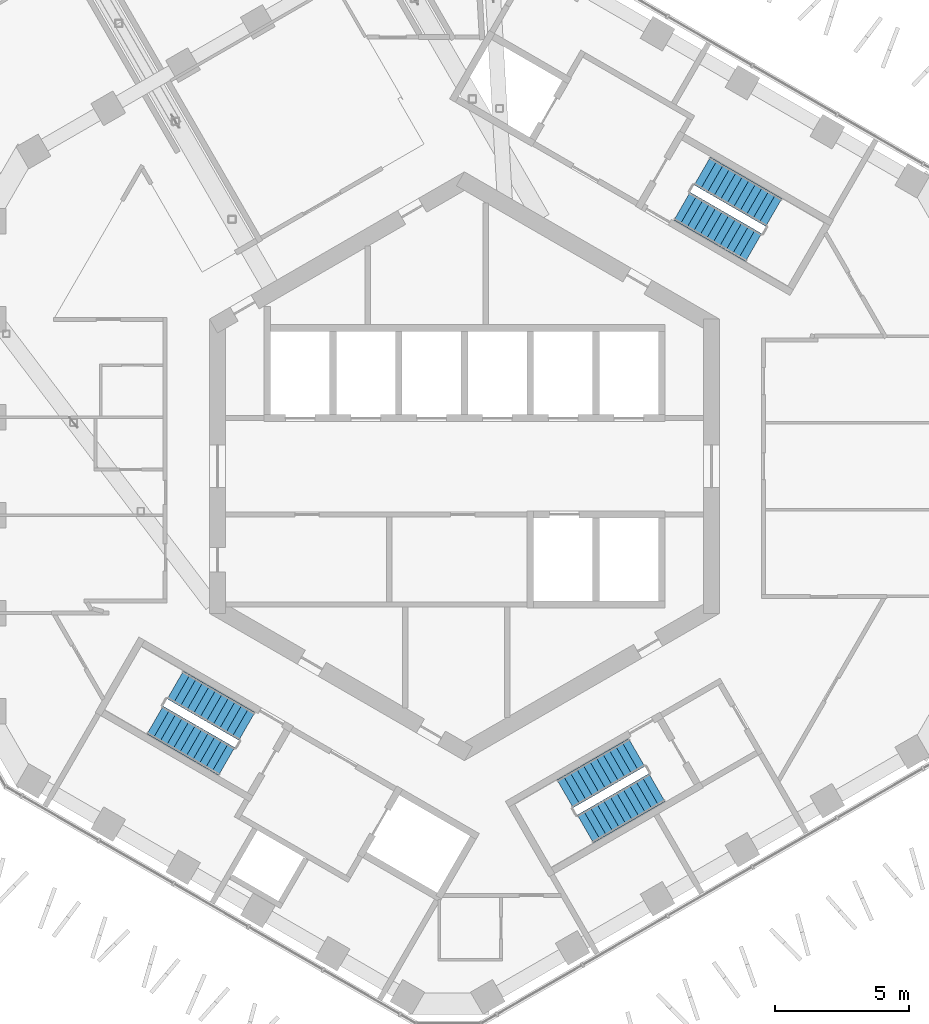
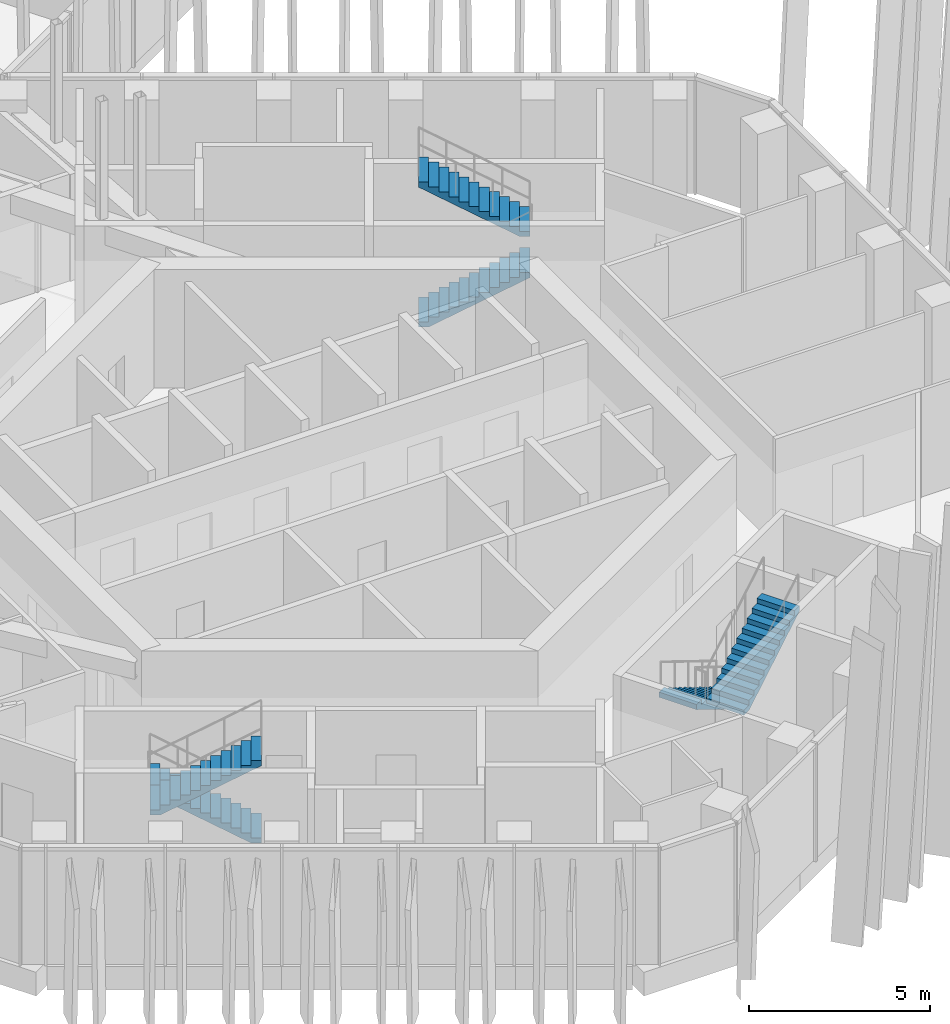
# One storey, part 25 of 29: 6 stair flights, 3 elements without a shape of their own.
"""IFC4 building model written with IfcOpenShell, lengths in metres."""

import ifcopenshell
import ifcopenshell.guid

model = None  # the IFC model being written
_history = None  # IfcOwnerHistory: only IFC2X3 demands one
_inside = {}  # id of a spatial element -> (the spatial element, [elements in it])
_under = {}  # id of a project, library or spatial element -> (it, [spatial elements below it])
_declared = {}  # id of a project -> (the project, [libraries it declares])
_typed = {}  # id of a type object -> (the type object, [elements of that type])
_made_of = {}  # id of a material, layer set ... -> (it, [elements and type objects made of it])


def new_model(schema):
    """Start an empty IFC model of exactly this schema.

    Asked for "IFC4X3", IfcOpenShell would pick the latest addendum, in which some entities
    have other attributes; the version numbers below select the first issue.
    IFC2X3 requires an IfcOwnerHistory on every rooted entity: one is made here for all.
    """
    global model, _history
    if schema == "IFC4X3":
        model = ifcopenshell.file(schema_version=(4, 3, 0, 0))
    else:
        model = ifcopenshell.file(schema=schema)
    _inside.clear()
    _under.clear()
    _declared.clear()
    _typed.clear()
    _made_of.clear()
    _history = None
    if model.schema == "IFC2X3":
        org = make("IfcOrganization", Name="unknown")
        user = make(
            "IfcPersonAndOrganization",
            ThePerson=make("IfcPerson", FamilyName="unknown"),
            TheOrganization=org,
        )
        app = make(
            "IfcApplication",
            ApplicationDeveloper=org,
            Version="unknown",
            ApplicationFullName="unknown",
            ApplicationIdentifier="unknown",
        )
        _history = make(
            "IfcOwnerHistory",
            OwningUser=user,
            OwningApplication=app,
            ChangeAction="ADDED",
            CreationDate=0,
        )
    return model


def make(cls, **values):
    """One entity of the class cls with the attributes given. An attribute that is None is left unset."""
    return model.create_entity(
        cls, **{name: value for name, value in values.items() if value is not None}
    )


def rooted(cls, **values):
    """An entity with a GlobalId (a new one), such as an element, a storey or a relation."""
    return make(cls, GlobalId=ifcopenshell.guid.new(), OwnerHistory=_history, **values)


def si_unit(unit_type, name, prefix=None):
    """IfcSIUnit, for example si_unit("LENGTHUNIT", "METRE", prefix="MILLI")."""
    return make("IfcSIUnit", UnitType=unit_type, Prefix=prefix, Name=name)


def assignment(units):
    """IfcUnitAssignment: the units of a project."""
    return None if units is None else make("IfcUnitAssignment", Units=units)


def point(xyz):
    """IfcCartesianPoint."""
    return None if xyz is None else make("IfcCartesianPoint", Coordinates=xyz)


def direction(xyz):
    """IfcDirection."""
    return None if xyz is None else make("IfcDirection", DirectionRatios=xyz)


def frame(location, z_axis=None, x_axis=None):
    """IfcAxis2Placement3D, a coordinate frame: its origin and axes. An axis left out is left unset."""
    return make(
        "IfcAxis2Placement3D",
        Location=point(location),
        Axis=direction(z_axis),
        RefDirection=direction(x_axis),
    )


def origin():
    """The frame at (0, 0, 0) with its axes left unset."""
    return frame((0.0, 0.0, 0.0))


def place(relative_to, where):
    """IfcLocalPlacement: puts the frame where relative to a parent placement (None: the world)."""
    return make(
        "IfcLocalPlacement", PlacementRelTo=relative_to, RelativePlacement=where
    )


def context(
    kind, dimensions, precision=None, world=None, true_north=None, identifier=None
):
    """IfcGeometricRepresentationContext, for example the 3D "Model" context."""
    return make(
        "IfcGeometricRepresentationContext",
        ContextIdentifier=identifier,
        ContextType=kind,
        CoordinateSpaceDimension=dimensions,
        Precision=precision,
        WorldCoordinateSystem=world,
        TrueNorth=true_north,
    )


def subcontext(parent, identifier, kind, view, scale=None):
    """IfcGeometricRepresentationSubContext, for example "Body" below "Model"."""
    return make(
        "IfcGeometricRepresentationSubContext",
        ContextIdentifier=identifier,
        ContextType=kind,
        ParentContext=parent,
        TargetScale=scale,
        TargetView=view,
    )


def project(units=None, contexts=None):
    """IfcProject with its units and contexts."""
    return rooted(
        "IfcProject",
        Name="project",
        RepresentationContexts=contexts,
        UnitsInContext=assignment(units),
    )


def spatial(cls, under=None, at=None, **own):
    """A site, building, storey or space (cls), placed at a placement, below another one or the project."""
    s = rooted(cls, ObjectPlacement=at, **own)
    if under is not None:
        _under.setdefault(under.id(), (under, []))[1].append(s)
    return s


def point_list(points):
    """IfcCartesianPointList2D or 3D."""
    cls = (
        "IfcCartesianPointList2D" if len(points[0]) == 2 else "IfcCartesianPointList3D"
    )
    return make(cls, CoordList=points)


def triangles(points, corners, closed=None, point_numbers=None):
    """IfcTriangulatedFaceSet: each triangle names its three corners, points numbered from 1."""
    return make(
        "IfcTriangulatedFaceSet",
        Coordinates=point_list(points),
        Closed=closed,
        CoordIndex=corners,
        PnIndex=point_numbers,
    )


def shape(context_of_items, identifier, shape_type, items):
    """IfcShapeRepresentation: the items that make up one representation, for example the "Body"."""
    return make(
        "IfcShapeRepresentation",
        ContextOfItems=context_of_items,
        RepresentationIdentifier=identifier,
        RepresentationType=shape_type,
        Items=items,
    )


def material(Name=None, Category=None):
    """IfcMaterial."""
    return make("IfcMaterial", Name=Name, Category=Category)


def made_of(thing, what):
    """Note that an element or type object is made of a material, layer set ...; save() writes the relation."""
    if what is not None:
        _made_of.setdefault(what.id(), (what, []))[1].append(thing)
    return thing


def type_object(cls, material=None, **own):
    """A type object (cls), such as IfcWallType, which elements share."""
    return made_of(rooted(cls, **own), material)


def element(
    cls,
    number,
    at=None,
    inside=None,
    cuts=None,
    type_object=None,
    material=None,
    context=None,
    identifier="Body",
    shape_type=None,
    held_by="IfcProductDefinitionShape",
    body=None,
    shapes=None,
    **own,
):
    """One element of the class cls, such as IfcWall. Its Tag is "e" and its number.

    at: its placement. inside: the storey or other place that contains it. cuts: it is an
    opening in that element (IfcRelVoidsElement). A single representation is given by context,
    identifier, shape_type and body (its items); several are given by shapes. held_by: the class
    of the entity that holds the representations. save() writes the other relations.
    """
    e = rooted(cls, Tag="e%d" % number, ObjectPlacement=at, **own)
    if body is not None:
        shapes = [shape(context, identifier, shape_type, body)]
    if shapes is not None:
        e.Representation = make(held_by, Representations=shapes)
    if inside is not None:
        _inside.setdefault(inside.id(), (inside, []))[1].append(e)
    if cuts is not None:
        rooted(
            "IfcRelVoidsElement", RelatingBuildingElement=cuts, RelatedOpeningElement=e
        )
    if type_object is not None:
        _typed.setdefault(type_object.id(), (type_object, []))[1].append(e)
    return made_of(e, material)


def aggregate(whole, parts):
    """IfcRelAggregates: a whole, such as a stair, and the parts it consists of."""
    return rooted("IfcRelAggregates", RelatingObject=whole, RelatedObjects=parts)


def save(model, path):
    """Write the relations noted so far, then the file.

    IfcRelAggregates (storeys below a building ...), IfcRelContainedInSpatialStructure (elements
    in a storey), IfcRelDefinesByType, IfcRelAssociatesMaterial and IfcRelDeclares: one each for
    every whole, place, type object, material and project.
    """
    for whole, parts in _under.values():
        aggregate(whole, parts)
    for where, things in _inside.values():
        rooted(
            "IfcRelContainedInSpatialStructure",
            RelatedElements=things,
            RelatingStructure=where,
        )
    for kind, things in _typed.values():
        rooted("IfcRelDefinesByType", RelatedObjects=things, RelatingType=kind)
    for what, things in _made_of.values():
        rooted("IfcRelAssociatesMaterial", RelatedObjects=things, RelatingMaterial=what)
    for by, libraries in _declared.values():
        rooted("IfcRelDeclares", RelatingContext=by, RelatedDefinitions=libraries)
    model.write(path)


model = new_model("IFC4")

# Units and contexts
model_context = context("Model", 3, precision=1e-05, world=origin(), true_north=direction((0.0, 1.0)))
body_context = subcontext(model_context, "Body", "Model", "MODEL_VIEW")
ifc_project = project(units=[si_unit("LENGTHUNIT", "METRE"), si_unit("AREAUNIT", "SQUARE_METRE"), si_unit("VOLUMEUNIT", "CUBIC_METRE"), si_unit("PLANEANGLEUNIT", "RADIAN"), si_unit("MASSUNIT", "GRAM", prefix="KILO")], contexts=[model_context])

# Site, building, storey
site_placement = place(None, origin())
site = spatial("IfcSite", under=ifc_project, at=site_placement, CompositionType="ELEMENT")
building_placement = place(site_placement, origin())
building = spatial("IfcBuilding", under=site, at=building_placement, Name="Ayvan Gate Tower", CompositionType="ELEMENT")
storey_placement = place(building_placement, frame((0.0, 0.0, 186.699951171875)))
storey = spatial("IfcBuildingStorey", under=building, at=storey_placement, Name="L50", CompositionType="ELEMENT", Elevation=186.699951171875)

# Stair, stair flights
ifc_material = material(Name="Concrete C40/50", Category="concrete")
stair_type = type_object("IfcStairType", Name="ST-EXIT", PredefinedType="HALF_TURN_STAIR", material=ifc_material)
stair_1_placement = place(storey_placement, origin())
stair_1 = element("IfcStair", 1, at=stair_1_placement, inside=storey, type_object=stair_type, Name="L50 Exit Stair S1", PredefinedType="HALF_TURN_STAIR")
stair_flight_type = type_object("IfcStairFlightType", Name="SFL-EXIT", PredefinedType="STRAIGHT", material=ifc_material)
stair_flight_1_placement = place(storey_placement, frame((8.106201171875, 9.690185546875, 0.0), z_axis=(0.0, 0.0, 1.0), x_axis=(0.866025403784, -0.5, 0.0)))
stair_flight_1 = element("IfcStairFlight", 2, at=stair_flight_1_placement, type_object=stair_flight_type, Name="STS1 flight 1", NumberOfRisers=12, NumberOfTreads=11, PredefinedType="STRAIGHT", RiserHeight=0.166666667, TreadLength=0.28, context=body_context, shape_type="Tessellation", body=[
    triangles([(0.293073, -0.599976, 0.0), (3.0805, -0.599976, 1.659182), (3.0805, -0.599976, 1.833333), (2.8, -0.599976, 1.833333), (2.8, -0.599976, 1.666667), (2.52, -0.599976, 1.666667), (2.52, -0.599976, 1.5), (2.24, -0.599976, 1.5), (2.24, -0.599976, 1.333333), (1.96, -0.599976, 1.333333), (1.96, -0.599976, 1.166667), (1.68, -0.599976, 1.166667), (1.68, -0.599976, 1.0), (1.4, -0.599976, 1.0), (1.4, -0.599976, 0.833333), (1.12, -0.599976, 0.833333), (1.12, -0.599976, 0.666667), (0.84, -0.599976, 0.666667), (0.84, -0.599976, 0.5), (0.56, -0.599976, 0.5), (0.56, -0.599976, 0.333333), (0.28, -0.599976, 0.333333), (0.28, -0.599976, 0.166667), (-0.0005, -0.599976, 0.166667), (-0.0005, -0.599976, 0.0), (0.293073, 0.0, 0.0), (3.0805, 0.0, 1.659182), (3.0805, 0.0, 1.833333), (2.8, 0.0, 1.833333), (2.8, 0.0, 1.666667), (2.52, 0.0, 1.666667), (2.52, 0.0, 1.5), (2.24, 0.0, 1.5), (2.24, 0.0, 1.333333), (1.96, 0.0, 1.333333), (1.96, 0.0, 1.166667), (1.68, 0.0, 1.166667), (1.68, 0.0, 1.0), (1.4, 0.0, 1.0), (1.4, 0.0, 0.833333), (1.12, 0.0, 0.833333), (1.12, 0.0, 0.666667), (0.84, 0.0, 0.666667), (0.84, 0.0, 0.5), (0.56, 0.0, 0.5), (0.56, 0.0, 0.333333), (0.28, 0.0, 0.333333), (0.28, 0.0, 0.166667), (-0.0005, 0.0, 0.166667), (-0.0005, 0.0, 0.0), (0.293073, 0.599976, 0.0), (3.0805, 0.599976, 1.659182), (3.0805, 0.599976, 1.833333), (2.8, 0.599976, 1.833333), (2.8, 0.599976, 1.666667), (2.52, 0.599976, 1.666667), (2.52, 0.599976, 1.5), (2.24, 0.599976, 1.5), (2.24, 0.599976, 1.333333), (1.96, 0.599976, 1.333333), (1.96, 0.599976, 1.166667), (1.68, 0.599976, 1.166667), (1.68, 0.599976, 1.0), (1.4, 0.599976, 1.0), (1.4, 0.599976, 0.833333), (1.12, 0.599976, 0.833333), (1.12, 0.599976, 0.666667), (0.84, 0.599976, 0.666667), (0.84, 0.599976, 0.5), (0.56, 0.599976, 0.5), (0.56, 0.599976, 0.333333), (0.28, 0.599976, 0.333333), (0.28, 0.599976, 0.166667), (-0.0005, 0.599976, 0.166667), (-0.0005, 0.599976, 0.0)], [[25, 1, 2], [75, 52, 51], [2, 3, 4], [52, 54, 53], [2, 4, 5], [52, 55, 54], [2, 5, 6], [52, 56, 55], [2, 6, 7], [52, 57, 56], [7, 8, 9], [57, 59, 58], [2, 7, 9], [52, 59, 57], [9, 10, 11], [59, 61, 60], [2, 9, 11], [52, 61, 59], [11, 12, 13], [61, 63, 62], [2, 11, 13], [52, 63, 61], [13, 14, 15], [63, 65, 64], [2, 13, 15], [52, 65, 63], [15, 16, 17], [65, 67, 66], [2, 15, 17], [52, 67, 65], [17, 18, 19], [67, 69, 68], [2, 17, 19], [52, 69, 67], [19, 20, 21], [69, 71, 70], [2, 19, 21], [52, 71, 69], [21, 22, 23], [71, 73, 72], [2, 21, 23], [52, 73, 71], [25, 2, 23], [75, 73, 52], [23, 24, 25], [73, 75, 74], [1, 26, 27], [1, 27, 2], [51, 27, 26], [51, 52, 27], [2, 27, 28], [2, 28, 3], [52, 28, 27], [52, 53, 28], [3, 28, 29], [3, 29, 4], [53, 29, 28], [53, 54, 29], [4, 29, 30], [4, 30, 5], [54, 30, 29], [54, 55, 30], [5, 30, 31], [5, 31, 6], [55, 31, 30], [55, 56, 31], [6, 31, 32], [6, 32, 7], [56, 32, 31], [56, 57, 32], [7, 32, 33], [7, 33, 8], [57, 33, 32], [57, 58, 33], [8, 33, 34], [8, 34, 9], [58, 34, 33], [58, 59, 34], [9, 34, 35], [9, 35, 10], [59, 35, 34], [59, 60, 35], [10, 35, 36], [10, 36, 11], [60, 36, 35], [60, 61, 36], [11, 36, 37], [11, 37, 12], [61, 37, 36], [61, 62, 37], [12, 37, 38], [12, 38, 13], [62, 38, 37], [62, 63, 38], [13, 38, 39], [13, 39, 14], [63, 39, 38], [63, 64, 39], [14, 39, 40], [14, 40, 15], [64, 40, 39], [64, 65, 40], [15, 40, 41], [15, 41, 16], [65, 41, 40], [65, 66, 41], [16, 41, 42], [16, 42, 17], [66, 42, 41], [66, 67, 42], [17, 42, 43], [17, 43, 18], [67, 43, 42], [67, 68, 43], [18, 43, 44], [18, 44, 19], [68, 44, 43], [68, 69, 44], [19, 44, 45], [19, 45, 20], [69, 45, 44], [69, 70, 45], [20, 45, 46], [20, 46, 21], [70, 46, 45], [70, 71, 46], [21, 46, 47], [21, 47, 22], [71, 47, 46], [71, 72, 47], [22, 47, 48], [22, 48, 23], [72, 48, 47], [72, 73, 48], [23, 48, 49], [23, 49, 24], [73, 49, 48], [73, 74, 49], [24, 49, 50], [24, 50, 25], [74, 50, 49], [74, 75, 50], [25, 50, 26], [25, 26, 1], [75, 26, 50], [75, 51, 26]], closed=True),
])
stair_flight_2_placement = place(storey_placement, frame((11.528564453125, 9.457763671875, 2.0), z_axis=(0.0, 0.0, 1.0), x_axis=(-0.866025403784, 0.5, 0.0)))
stair_flight_2 = element("IfcStairFlight", 3, at=stair_flight_2_placement, type_object=stair_flight_type, Name="STS1 flight 2", NumberOfRisers=12, NumberOfTreads=11, PredefinedType="STRAIGHT", RiserHeight=0.166666667, TreadLength=0.28, context=body_context, shape_type="Tessellation", body=[
    triangles([(0.293073, -0.599976, 0.0), (3.0805, -0.599976, 1.659182), (3.0805, -0.599976, 1.833333), (2.8, -0.599976, 1.833333), (2.8, -0.599976, 1.666667), (2.52, -0.599976, 1.666667), (2.52, -0.599976, 1.5), (2.24, -0.599976, 1.5), (2.24, -0.599976, 1.333333), (1.96, -0.599976, 1.333333), (1.96, -0.599976, 1.166667), (1.68, -0.599976, 1.166667), (1.68, -0.599976, 1.0), (1.4, -0.599976, 1.0), (1.4, -0.599976, 0.833333), (1.12, -0.599976, 0.833333), (1.12, -0.599976, 0.666667), (0.84, -0.599976, 0.666667), (0.84, -0.599976, 0.5), (0.56, -0.599976, 0.5), (0.56, -0.599976, 0.333333), (0.28, -0.599976, 0.333333), (0.28, -0.599976, 0.166667), (-0.0005, -0.599976, 0.166667), (-0.0005, -0.599976, 0.0), (0.293073, 0.0, 0.0), (3.0805, 0.0, 1.659182), (3.0805, 0.0, 1.833333), (2.8, 0.0, 1.833333), (2.8, 0.0, 1.666667), (2.52, 0.0, 1.666667), (2.52, 0.0, 1.5), (2.24, 0.0, 1.5), (2.24, 0.0, 1.333333), (1.96, 0.0, 1.333333), (1.96, 0.0, 1.166667), (1.68, 0.0, 1.166667), (1.68, 0.0, 1.0), (1.4, 0.0, 1.0), (1.4, 0.0, 0.833333), (1.12, 0.0, 0.833333), (1.12, 0.0, 0.666667), (0.84, 0.0, 0.666667), (0.84, 0.0, 0.5), (0.56, 0.0, 0.5), (0.56, 0.0, 0.333333), (0.28, 0.0, 0.333333), (0.28, 0.0, 0.166667), (-0.0005, 0.0, 0.166667), (-0.0005, 0.0, 0.0), (0.293073, 0.599976, 0.0), (3.0805, 0.599976, 1.659182), (3.0805, 0.599976, 1.833333), (2.8, 0.599976, 1.833333), (2.8, 0.599976, 1.666667), (2.52, 0.599976, 1.666667), (2.52, 0.599976, 1.5), (2.24, 0.599976, 1.5), (2.24, 0.599976, 1.333333), (1.96, 0.599976, 1.333333), (1.96, 0.599976, 1.166667), (1.68, 0.599976, 1.166667), (1.68, 0.599976, 1.0), (1.4, 0.599976, 1.0), (1.4, 0.599976, 0.833333), (1.12, 0.599976, 0.833333), (1.12, 0.599976, 0.666667), (0.84, 0.599976, 0.666667), (0.84, 0.599976, 0.5), (0.56, 0.599976, 0.5), (0.56, 0.599976, 0.333333), (0.28, 0.599976, 0.333333), (0.28, 0.599976, 0.166667), (-0.0005, 0.599976, 0.166667), (-0.0005, 0.599976, 0.0)], [[25, 1, 2], [75, 52, 51], [2, 3, 4], [52, 54, 53], [2, 4, 5], [52, 55, 54], [2, 5, 6], [52, 56, 55], [2, 6, 7], [52, 57, 56], [7, 8, 9], [57, 59, 58], [2, 7, 9], [52, 59, 57], [9, 10, 11], [59, 61, 60], [2, 9, 11], [52, 61, 59], [11, 12, 13], [61, 63, 62], [2, 11, 13], [52, 63, 61], [13, 14, 15], [63, 65, 64], [2, 13, 15], [52, 65, 63], [15, 16, 17], [65, 67, 66], [2, 15, 17], [52, 67, 65], [17, 18, 19], [67, 69, 68], [2, 17, 19], [52, 69, 67], [19, 20, 21], [69, 71, 70], [2, 19, 21], [52, 71, 69], [21, 22, 23], [71, 73, 72], [2, 21, 23], [52, 73, 71], [25, 2, 23], [75, 73, 52], [23, 24, 25], [73, 75, 74], [1, 26, 27], [1, 27, 2], [51, 27, 26], [51, 52, 27], [2, 27, 28], [2, 28, 3], [52, 28, 27], [52, 53, 28], [3, 28, 29], [3, 29, 4], [53, 29, 28], [53, 54, 29], [4, 29, 30], [4, 30, 5], [54, 30, 29], [54, 55, 30], [5, 30, 31], [5, 31, 6], [55, 31, 30], [55, 56, 31], [6, 31, 32], [6, 32, 7], [56, 32, 31], [56, 57, 32], [7, 32, 33], [7, 33, 8], [57, 33, 32], [57, 58, 33], [8, 33, 34], [8, 34, 9], [58, 34, 33], [58, 59, 34], [9, 34, 35], [9, 35, 10], [59, 35, 34], [59, 60, 35], [10, 35, 36], [10, 36, 11], [60, 36, 35], [60, 61, 36], [11, 36, 37], [11, 37, 12], [61, 37, 36], [61, 62, 37], [12, 37, 38], [12, 38, 13], [62, 38, 37], [62, 63, 38], [13, 38, 39], [13, 39, 14], [63, 39, 38], [63, 64, 39], [14, 39, 40], [14, 40, 15], [64, 40, 39], [64, 65, 40], [15, 40, 41], [15, 41, 16], [65, 41, 40], [65, 66, 41], [16, 41, 42], [16, 42, 17], [66, 42, 41], [66, 67, 42], [17, 42, 43], [17, 43, 18], [67, 43, 42], [67, 68, 43], [18, 43, 44], [18, 44, 19], [68, 44, 43], [68, 69, 44], [19, 44, 45], [19, 45, 20], [69, 45, 44], [69, 70, 45], [20, 45, 46], [20, 46, 21], [70, 46, 45], [70, 71, 46], [21, 46, 47], [21, 47, 22], [71, 47, 46], [71, 72, 47], [22, 47, 48], [22, 48, 23], [72, 48, 47], [72, 73, 48], [23, 48, 49], [23, 49, 24], [73, 49, 48], [73, 74, 49], [24, 49, 50], [24, 50, 25], [74, 50, 49], [74, 75, 50], [25, 50, 26], [25, 26, 1], [75, 26, 50], [75, 51, 26]], closed=True),
])
aggregate(stair_1, [stair_flight_1, stair_flight_2])

stair_2_placement = place(storey_placement, origin())
stair_2 = element("IfcStair", 4, at=stair_2_placement, inside=storey, type_object=stair_type, Name="L50 Exit Stair S2", PredefinedType="HALF_TURN_STAIR")
stair_flight_3_placement = place(storey_placement, frame((-8.106201171875, -9.690185546875, 0.0), z_axis=(0.0, 0.0, 1.0), x_axis=(-0.866025403784, 0.5, 0.0)))
stair_flight_3 = element("IfcStairFlight", 5, at=stair_flight_3_placement, type_object=stair_flight_type, Name="STS2 flight 1", NumberOfRisers=12, NumberOfTreads=11, PredefinedType="STRAIGHT", RiserHeight=0.166666667, TreadLength=0.28, context=body_context, shape_type="Tessellation", body=[
    triangles([(0.293073, -0.599976, 0.0), (3.0805, -0.599976, 1.659182), (3.0805, -0.599976, 1.833333), (2.8, -0.599976, 1.833333), (2.8, -0.599976, 1.666667), (2.52, -0.599976, 1.666667), (2.52, -0.599976, 1.5), (2.24, -0.599976, 1.5), (2.24, -0.599976, 1.333333), (1.96, -0.599976, 1.333333), (1.96, -0.599976, 1.166667), (1.68, -0.599976, 1.166667), (1.68, -0.599976, 1.0), (1.4, -0.599976, 1.0), (1.4, -0.599976, 0.833333), (1.12, -0.599976, 0.833333), (1.12, -0.599976, 0.666667), (0.84, -0.599976, 0.666667), (0.84, -0.599976, 0.5), (0.56, -0.599976, 0.5), (0.56, -0.599976, 0.333333), (0.28, -0.599976, 0.333333), (0.28, -0.599976, 0.166667), (-0.0005, -0.599976, 0.166667), (-0.0005, -0.599976, 0.0), (0.293073, 0.0, 0.0), (3.0805, 0.0, 1.659182), (3.0805, 0.0, 1.833333), (2.8, 0.0, 1.833333), (2.8, 0.0, 1.666667), (2.52, 0.0, 1.666667), (2.52, 0.0, 1.5), (2.24, 0.0, 1.5), (2.24, 0.0, 1.333333), (1.96, 0.0, 1.333333), (1.96, 0.0, 1.166667), (1.68, 0.0, 1.166667), (1.68, 0.0, 1.0), (1.4, 0.0, 1.0), (1.4, 0.0, 0.833333), (1.12, 0.0, 0.833333), (1.12, 0.0, 0.666667), (0.84, 0.0, 0.666667), (0.84, 0.0, 0.5), (0.56, 0.0, 0.5), (0.56, 0.0, 0.333333), (0.28, 0.0, 0.333333), (0.28, 0.0, 0.166667), (-0.0005, 0.0, 0.166667), (-0.0005, 0.0, 0.0), (0.293073, 0.599976, 0.0), (3.0805, 0.599976, 1.659182), (3.0805, 0.599976, 1.833333), (2.8, 0.599976, 1.833333), (2.8, 0.599976, 1.666667), (2.52, 0.599976, 1.666667), (2.52, 0.599976, 1.5), (2.24, 0.599976, 1.5), (2.24, 0.599976, 1.333333), (1.96, 0.599976, 1.333333), (1.96, 0.599976, 1.166667), (1.68, 0.599976, 1.166667), (1.68, 0.599976, 1.0), (1.4, 0.599976, 1.0), (1.4, 0.599976, 0.833333), (1.12, 0.599976, 0.833333), (1.12, 0.599976, 0.666667), (0.84, 0.599976, 0.666667), (0.84, 0.599976, 0.5), (0.56, 0.599976, 0.5), (0.56, 0.599976, 0.333333), (0.28, 0.599976, 0.333333), (0.28, 0.599976, 0.166667), (-0.0005, 0.599976, 0.166667), (-0.0005, 0.599976, 0.0)], [[25, 1, 2], [75, 52, 51], [2, 3, 4], [52, 54, 53], [2, 4, 5], [52, 55, 54], [2, 5, 6], [52, 56, 55], [2, 6, 7], [52, 57, 56], [7, 8, 9], [57, 59, 58], [2, 7, 9], [52, 59, 57], [9, 10, 11], [59, 61, 60], [2, 9, 11], [52, 61, 59], [11, 12, 13], [61, 63, 62], [2, 11, 13], [52, 63, 61], [13, 14, 15], [63, 65, 64], [2, 13, 15], [52, 65, 63], [15, 16, 17], [65, 67, 66], [2, 15, 17], [52, 67, 65], [17, 18, 19], [67, 69, 68], [2, 17, 19], [52, 69, 67], [19, 20, 21], [69, 71, 70], [2, 19, 21], [52, 71, 69], [21, 22, 23], [71, 73, 72], [2, 21, 23], [52, 73, 71], [25, 2, 23], [75, 73, 52], [23, 24, 25], [73, 75, 74], [1, 26, 27], [1, 27, 2], [51, 27, 26], [51, 52, 27], [2, 27, 28], [2, 28, 3], [52, 28, 27], [52, 53, 28], [3, 28, 29], [3, 29, 4], [53, 29, 28], [53, 54, 29], [4, 29, 30], [4, 30, 5], [54, 30, 29], [54, 55, 30], [5, 30, 31], [5, 31, 6], [55, 31, 30], [55, 56, 31], [6, 31, 32], [6, 32, 7], [56, 32, 31], [56, 57, 32], [7, 32, 33], [7, 33, 8], [57, 33, 32], [57, 58, 33], [8, 33, 34], [8, 34, 9], [58, 34, 33], [58, 59, 34], [9, 34, 35], [9, 35, 10], [59, 35, 34], [59, 60, 35], [10, 35, 36], [10, 36, 11], [60, 36, 35], [60, 61, 36], [11, 36, 37], [11, 37, 12], [61, 37, 36], [61, 62, 37], [12, 37, 38], [12, 38, 13], [62, 38, 37], [62, 63, 38], [13, 38, 39], [13, 39, 14], [63, 39, 38], [63, 64, 39], [14, 39, 40], [14, 40, 15], [64, 40, 39], [64, 65, 40], [15, 40, 41], [15, 41, 16], [65, 41, 40], [65, 66, 41], [16, 41, 42], [16, 42, 17], [66, 42, 41], [66, 67, 42], [17, 42, 43], [17, 43, 18], [67, 43, 42], [67, 68, 43], [18, 43, 44], [18, 44, 19], [68, 44, 43], [68, 69, 44], [19, 44, 45], [19, 45, 20], [69, 45, 44], [69, 70, 45], [20, 45, 46], [20, 46, 21], [70, 46, 45], [70, 71, 46], [21, 46, 47], [21, 47, 22], [71, 47, 46], [71, 72, 47], [22, 47, 48], [22, 48, 23], [72, 48, 47], [72, 73, 48], [23, 48, 49], [23, 49, 24], [73, 49, 48], [73, 74, 49], [24, 49, 50], [24, 50, 25], [74, 50, 49], [74, 75, 50], [25, 50, 26], [25, 26, 1], [75, 26, 50], [75, 51, 26]], closed=True),
])
stair_flight_4_placement = place(storey_placement, frame((-11.528564453125, -9.457763671875, 2.0), z_axis=(0.0, 0.0, 1.0), x_axis=(0.866025403784, -0.5, 0.0)))
stair_flight_4 = element("IfcStairFlight", 6, at=stair_flight_4_placement, type_object=stair_flight_type, Name="STS2 flight 2", NumberOfRisers=12, NumberOfTreads=11, PredefinedType="STRAIGHT", RiserHeight=0.166666667, TreadLength=0.28, context=body_context, shape_type="Tessellation", body=[
    triangles([(0.293073, -0.599976, 0.0), (3.0805, -0.599976, 1.659182), (3.0805, -0.599976, 1.833333), (2.8, -0.599976, 1.833333), (2.8, -0.599976, 1.666667), (2.52, -0.599976, 1.666667), (2.52, -0.599976, 1.5), (2.24, -0.599976, 1.5), (2.24, -0.599976, 1.333333), (1.96, -0.599976, 1.333333), (1.96, -0.599976, 1.166667), (1.68, -0.599976, 1.166667), (1.68, -0.599976, 1.0), (1.4, -0.599976, 1.0), (1.4, -0.599976, 0.833333), (1.12, -0.599976, 0.833333), (1.12, -0.599976, 0.666667), (0.84, -0.599976, 0.666667), (0.84, -0.599976, 0.5), (0.56, -0.599976, 0.5), (0.56, -0.599976, 0.333333), (0.28, -0.599976, 0.333333), (0.28, -0.599976, 0.166667), (-0.0005, -0.599976, 0.166667), (-0.0005, -0.599976, 0.0), (0.293073, 0.0, 0.0), (3.0805, 0.0, 1.659182), (3.0805, 0.0, 1.833333), (2.8, 0.0, 1.833333), (2.8, 0.0, 1.666667), (2.52, 0.0, 1.666667), (2.52, 0.0, 1.5), (2.24, 0.0, 1.5), (2.24, 0.0, 1.333333), (1.96, 0.0, 1.333333), (1.96, 0.0, 1.166667), (1.68, 0.0, 1.166667), (1.68, 0.0, 1.0), (1.4, 0.0, 1.0), (1.4, 0.0, 0.833333), (1.12, 0.0, 0.833333), (1.12, 0.0, 0.666667), (0.84, 0.0, 0.666667), (0.84, 0.0, 0.5), (0.56, 0.0, 0.5), (0.56, 0.0, 0.333333), (0.28, 0.0, 0.333333), (0.28, 0.0, 0.166667), (-0.0005, 0.0, 0.166667), (-0.0005, 0.0, 0.0), (0.293073, 0.599976, 0.0), (3.0805, 0.599976, 1.659182), (3.0805, 0.599976, 1.833333), (2.8, 0.599976, 1.833333), (2.8, 0.599976, 1.666667), (2.52, 0.599976, 1.666667), (2.52, 0.599976, 1.5), (2.24, 0.599976, 1.5), (2.24, 0.599976, 1.333333), (1.96, 0.599976, 1.333333), (1.96, 0.599976, 1.166667), (1.68, 0.599976, 1.166667), (1.68, 0.599976, 1.0), (1.4, 0.599976, 1.0), (1.4, 0.599976, 0.833333), (1.12, 0.599976, 0.833333), (1.12, 0.599976, 0.666667), (0.84, 0.599976, 0.666667), (0.84, 0.599976, 0.5), (0.56, 0.599976, 0.5), (0.56, 0.599976, 0.333333), (0.28, 0.599976, 0.333333), (0.28, 0.599976, 0.166667), (-0.0005, 0.599976, 0.166667), (-0.0005, 0.599976, 0.0)], [[25, 1, 2], [75, 52, 51], [2, 3, 4], [52, 54, 53], [2, 4, 5], [52, 55, 54], [2, 5, 6], [52, 56, 55], [2, 6, 7], [52, 57, 56], [7, 8, 9], [57, 59, 58], [2, 7, 9], [52, 59, 57], [9, 10, 11], [59, 61, 60], [2, 9, 11], [52, 61, 59], [11, 12, 13], [61, 63, 62], [2, 11, 13], [52, 63, 61], [13, 14, 15], [63, 65, 64], [2, 13, 15], [52, 65, 63], [15, 16, 17], [65, 67, 66], [2, 15, 17], [52, 67, 65], [17, 18, 19], [67, 69, 68], [2, 17, 19], [52, 69, 67], [19, 20, 21], [69, 71, 70], [2, 19, 21], [52, 71, 69], [21, 22, 23], [71, 73, 72], [2, 21, 23], [52, 73, 71], [25, 2, 23], [75, 73, 52], [23, 24, 25], [73, 75, 74], [1, 26, 27], [1, 27, 2], [51, 27, 26], [51, 52, 27], [2, 27, 28], [2, 28, 3], [52, 28, 27], [52, 53, 28], [3, 28, 29], [3, 29, 4], [53, 29, 28], [53, 54, 29], [4, 29, 30], [4, 30, 5], [54, 30, 29], [54, 55, 30], [5, 30, 31], [5, 31, 6], [55, 31, 30], [55, 56, 31], [6, 31, 32], [6, 32, 7], [56, 32, 31], [56, 57, 32], [7, 32, 33], [7, 33, 8], [57, 33, 32], [57, 58, 33], [8, 33, 34], [8, 34, 9], [58, 34, 33], [58, 59, 34], [9, 34, 35], [9, 35, 10], [59, 35, 34], [59, 60, 35], [10, 35, 36], [10, 36, 11], [60, 36, 35], [60, 61, 36], [11, 36, 37], [11, 37, 12], [61, 37, 36], [61, 62, 37], [12, 37, 38], [12, 38, 13], [62, 38, 37], [62, 63, 38], [13, 38, 39], [13, 39, 14], [63, 39, 38], [63, 64, 39], [14, 39, 40], [14, 40, 15], [64, 40, 39], [64, 65, 40], [15, 40, 41], [15, 41, 16], [65, 41, 40], [65, 66, 41], [16, 41, 42], [16, 42, 17], [66, 42, 41], [66, 67, 42], [17, 42, 43], [17, 43, 18], [67, 43, 42], [67, 68, 43], [18, 43, 44], [18, 44, 19], [68, 44, 43], [68, 69, 44], [19, 44, 45], [19, 45, 20], [69, 45, 44], [69, 70, 45], [20, 45, 46], [20, 46, 21], [70, 46, 45], [70, 71, 46], [21, 46, 47], [21, 47, 22], [71, 47, 46], [71, 72, 47], [22, 47, 48], [22, 48, 23], [72, 48, 47], [72, 73, 48], [23, 48, 49], [23, 49, 24], [73, 49, 48], [73, 74, 49], [24, 49, 50], [24, 50, 25], [74, 50, 49], [74, 75, 50], [25, 50, 26], [25, 26, 1], [75, 26, 50], [75, 51, 26]], closed=True),
])
aggregate(stair_2, [stair_flight_3, stair_flight_4])

stair_3_placement = place(storey_placement, origin())
stair_3 = element("IfcStair", 7, at=stair_3_placement, inside=storey, type_object=stair_type, Name="L50 Exit Stair S3", PredefinedType="HALF_TURN_STAIR")
stair_flight_5_placement = place(storey_placement, frame((6.417236328125, -10.665283203125, 0.0), z_axis=(0.0, 0.0, 1.0), x_axis=(-0.866025403784, -0.5, 0.0)))
stair_flight_5 = element("IfcStairFlight", 8, at=stair_flight_5_placement, type_object=stair_flight_type, Name="STS3 flight 1", NumberOfRisers=12, NumberOfTreads=11, PredefinedType="STRAIGHT", RiserHeight=0.166666667, TreadLength=0.28, context=body_context, shape_type="Tessellation", body=[
    triangles([(0.293073, -0.599976, 0.0), (3.0805, -0.599976, 1.659182), (3.0805, -0.599976, 1.833333), (2.8, -0.599976, 1.833333), (2.8, -0.599976, 1.666667), (2.52, -0.599976, 1.666667), (2.52, -0.599976, 1.5), (2.24, -0.599976, 1.5), (2.24, -0.599976, 1.333333), (1.96, -0.599976, 1.333333), (1.96, -0.599976, 1.166667), (1.68, -0.599976, 1.166667), (1.68, -0.599976, 1.0), (1.4, -0.599976, 1.0), (1.4, -0.599976, 0.833333), (1.12, -0.599976, 0.833333), (1.12, -0.599976, 0.666667), (0.84, -0.599976, 0.666667), (0.84, -0.599976, 0.5), (0.56, -0.599976, 0.5), (0.56, -0.599976, 0.333333), (0.28, -0.599976, 0.333333), (0.28, -0.599976, 0.166667), (-0.0005, -0.599976, 0.166667), (-0.0005, -0.599976, 0.0), (0.293073, 0.0, 0.0), (3.0805, 0.0, 1.659182), (3.0805, 0.0, 1.833333), (2.8, 0.0, 1.833333), (2.8, 0.0, 1.666667), (2.52, 0.0, 1.666667), (2.52, 0.0, 1.5), (2.24, 0.0, 1.5), (2.24, 0.0, 1.333333), (1.96, 0.0, 1.333333), (1.96, 0.0, 1.166667), (1.68, 0.0, 1.166667), (1.68, 0.0, 1.0), (1.4, 0.0, 1.0), (1.4, 0.0, 0.833333), (1.12, 0.0, 0.833333), (1.12, 0.0, 0.666667), (0.84, 0.0, 0.666667), (0.84, 0.0, 0.5), (0.56, 0.0, 0.5), (0.56, 0.0, 0.333333), (0.28, 0.0, 0.333333), (0.28, 0.0, 0.166667), (-0.0005, 0.0, 0.166667), (-0.0005, 0.0, 0.0), (0.293073, 0.599976, 0.0), (3.0805, 0.599976, 1.659182), (3.0805, 0.599976, 1.833333), (2.8, 0.599976, 1.833333), (2.8, 0.599976, 1.666667), (2.52, 0.599976, 1.666667), (2.52, 0.599976, 1.5), (2.24, 0.599976, 1.5), (2.24, 0.599976, 1.333333), (1.96, 0.599976, 1.333333), (1.96, 0.599976, 1.166667), (1.68, 0.599976, 1.166667), (1.68, 0.599976, 1.0), (1.4, 0.599976, 1.0), (1.4, 0.599976, 0.833333), (1.12, 0.599976, 0.833333), (1.12, 0.599976, 0.666667), (0.84, 0.599976, 0.666667), (0.84, 0.599976, 0.5), (0.56, 0.599976, 0.5), (0.56, 0.599976, 0.333333), (0.28, 0.599976, 0.333333), (0.28, 0.599976, 0.166667), (-0.0005, 0.599976, 0.166667), (-0.0005, 0.599976, 0.0)], [[25, 1, 2], [75, 52, 51], [2, 3, 4], [52, 54, 53], [2, 4, 5], [52, 55, 54], [2, 5, 6], [52, 56, 55], [2, 6, 7], [52, 57, 56], [7, 8, 9], [57, 59, 58], [2, 7, 9], [52, 59, 57], [9, 10, 11], [59, 61, 60], [2, 9, 11], [52, 61, 59], [11, 12, 13], [61, 63, 62], [2, 11, 13], [52, 63, 61], [13, 14, 15], [63, 65, 64], [2, 13, 15], [52, 65, 63], [15, 16, 17], [65, 67, 66], [2, 15, 17], [52, 67, 65], [17, 18, 19], [67, 69, 68], [2, 17, 19], [52, 69, 67], [19, 20, 21], [69, 71, 70], [2, 19, 21], [52, 71, 69], [21, 22, 23], [71, 73, 72], [2, 21, 23], [52, 73, 71], [25, 2, 23], [75, 73, 52], [23, 24, 25], [73, 75, 74], [1, 26, 27], [1, 27, 2], [51, 27, 26], [51, 52, 27], [2, 27, 28], [2, 28, 3], [52, 28, 27], [52, 53, 28], [3, 28, 29], [3, 29, 4], [53, 29, 28], [53, 54, 29], [4, 29, 30], [4, 30, 5], [54, 30, 29], [54, 55, 30], [5, 30, 31], [5, 31, 6], [55, 31, 30], [55, 56, 31], [6, 31, 32], [6, 32, 7], [56, 32, 31], [56, 57, 32], [7, 32, 33], [7, 33, 8], [57, 33, 32], [57, 58, 33], [8, 33, 34], [8, 34, 9], [58, 34, 33], [58, 59, 34], [9, 34, 35], [9, 35, 10], [59, 35, 34], [59, 60, 35], [10, 35, 36], [10, 36, 11], [60, 36, 35], [60, 61, 36], [11, 36, 37], [11, 37, 12], [61, 37, 36], [61, 62, 37], [12, 37, 38], [12, 38, 13], [62, 38, 37], [62, 63, 38], [13, 38, 39], [13, 39, 14], [63, 39, 38], [63, 64, 39], [14, 39, 40], [14, 40, 15], [64, 40, 39], [64, 65, 40], [15, 40, 41], [15, 41, 16], [65, 41, 40], [65, 66, 41], [16, 41, 42], [16, 42, 17], [66, 42, 41], [66, 67, 42], [17, 42, 43], [17, 43, 18], [67, 43, 42], [67, 68, 43], [18, 43, 44], [18, 44, 19], [68, 44, 43], [68, 69, 44], [19, 44, 45], [19, 45, 20], [69, 45, 44], [69, 70, 45], [20, 45, 46], [20, 46, 21], [70, 46, 45], [70, 71, 46], [21, 46, 47], [21, 47, 22], [71, 47, 46], [71, 72, 47], [22, 47, 48], [22, 48, 23], [72, 48, 47], [72, 73, 48], [23, 48, 49], [23, 49, 24], [73, 49, 48], [73, 74, 49], [24, 49, 50], [24, 50, 25], [74, 50, 49], [74, 75, 50], [25, 50, 26], [25, 26, 1], [75, 26, 50], [75, 51, 26]], closed=True),
])
stair_flight_6_placement = place(storey_placement, frame((4.5048828125, -13.512939453125, 2.0), z_axis=(0.0, 0.0, 1.0), x_axis=(0.866025403784, 0.5, 0.0)))
stair_flight_6 = element("IfcStairFlight", 9, at=stair_flight_6_placement, type_object=stair_flight_type, Name="STS3 flight 2", NumberOfRisers=12, NumberOfTreads=11, PredefinedType="STRAIGHT", RiserHeight=0.166666667, TreadLength=0.28, context=body_context, shape_type="Tessellation", body=[
    triangles([(0.293073, -0.599976, 0.0), (3.0805, -0.599976, 1.659182), (3.0805, -0.599976, 1.833333), (2.8, -0.599976, 1.833333), (2.8, -0.599976, 1.666667), (2.52, -0.599976, 1.666667), (2.52, -0.599976, 1.5), (2.24, -0.599976, 1.5), (2.24, -0.599976, 1.333333), (1.96, -0.599976, 1.333333), (1.96, -0.599976, 1.166667), (1.68, -0.599976, 1.166667), (1.68, -0.599976, 1.0), (1.4, -0.599976, 1.0), (1.4, -0.599976, 0.833333), (1.12, -0.599976, 0.833333), (1.12, -0.599976, 0.666667), (0.84, -0.599976, 0.666667), (0.84, -0.599976, 0.5), (0.56, -0.599976, 0.5), (0.56, -0.599976, 0.333333), (0.28, -0.599976, 0.333333), (0.28, -0.599976, 0.166667), (-0.0005, -0.599976, 0.166667), (-0.0005, -0.599976, 0.0), (0.293073, 0.0, 0.0), (3.0805, 0.0, 1.659182), (3.0805, 0.0, 1.833333), (2.8, 0.0, 1.833333), (2.8, 0.0, 1.666667), (2.52, 0.0, 1.666667), (2.52, 0.0, 1.5), (2.24, 0.0, 1.5), (2.24, 0.0, 1.333333), (1.96, 0.0, 1.333333), (1.96, 0.0, 1.166667), (1.68, 0.0, 1.166667), (1.68, 0.0, 1.0), (1.4, 0.0, 1.0), (1.4, 0.0, 0.833333), (1.12, 0.0, 0.833333), (1.12, 0.0, 0.666667), (0.84, 0.0, 0.666667), (0.84, 0.0, 0.5), (0.56, 0.0, 0.5), (0.56, 0.0, 0.333333), (0.28, 0.0, 0.333333), (0.28, 0.0, 0.166667), (-0.0005, 0.0, 0.166667), (-0.0005, 0.0, 0.0), (0.293073, 0.599976, 0.0), (3.0805, 0.599976, 1.659182), (3.0805, 0.599976, 1.833333), (2.8, 0.599976, 1.833333), (2.8, 0.599976, 1.666667), (2.52, 0.599976, 1.666667), (2.52, 0.599976, 1.5), (2.24, 0.599976, 1.5), (2.24, 0.599976, 1.333333), (1.96, 0.599976, 1.333333), (1.96, 0.599976, 1.166667), (1.68, 0.599976, 1.166667), (1.68, 0.599976, 1.0), (1.4, 0.599976, 1.0), (1.4, 0.599976, 0.833333), (1.12, 0.599976, 0.833333), (1.12, 0.599976, 0.666667), (0.84, 0.599976, 0.666667), (0.84, 0.599976, 0.5), (0.56, 0.599976, 0.5), (0.56, 0.599976, 0.333333), (0.28, 0.599976, 0.333333), (0.28, 0.599976, 0.166667), (-0.0005, 0.599976, 0.166667), (-0.0005, 0.599976, 0.0)], [[25, 1, 2], [75, 52, 51], [2, 3, 4], [52, 54, 53], [2, 4, 5], [52, 55, 54], [2, 5, 6], [52, 56, 55], [2, 6, 7], [52, 57, 56], [7, 8, 9], [57, 59, 58], [2, 7, 9], [52, 59, 57], [9, 10, 11], [59, 61, 60], [2, 9, 11], [52, 61, 59], [11, 12, 13], [61, 63, 62], [2, 11, 13], [52, 63, 61], [13, 14, 15], [63, 65, 64], [2, 13, 15], [52, 65, 63], [15, 16, 17], [65, 67, 66], [2, 15, 17], [52, 67, 65], [17, 18, 19], [67, 69, 68], [2, 17, 19], [52, 69, 67], [19, 20, 21], [69, 71, 70], [2, 19, 21], [52, 71, 69], [21, 22, 23], [71, 73, 72], [2, 21, 23], [52, 73, 71], [25, 2, 23], [75, 73, 52], [23, 24, 25], [73, 75, 74], [1, 26, 27], [1, 27, 2], [51, 27, 26], [51, 52, 27], [2, 27, 28], [2, 28, 3], [52, 28, 27], [52, 53, 28], [3, 28, 29], [3, 29, 4], [53, 29, 28], [53, 54, 29], [4, 29, 30], [4, 30, 5], [54, 30, 29], [54, 55, 30], [5, 30, 31], [5, 31, 6], [55, 31, 30], [55, 56, 31], [6, 31, 32], [6, 32, 7], [56, 32, 31], [56, 57, 32], [7, 32, 33], [7, 33, 8], [57, 33, 32], [57, 58, 33], [8, 33, 34], [8, 34, 9], [58, 34, 33], [58, 59, 34], [9, 34, 35], [9, 35, 10], [59, 35, 34], [59, 60, 35], [10, 35, 36], [10, 36, 11], [60, 36, 35], [60, 61, 36], [11, 36, 37], [11, 37, 12], [61, 37, 36], [61, 62, 37], [12, 37, 38], [12, 38, 13], [62, 38, 37], [62, 63, 38], [13, 38, 39], [13, 39, 14], [63, 39, 38], [63, 64, 39], [14, 39, 40], [14, 40, 15], [64, 40, 39], [64, 65, 40], [15, 40, 41], [15, 41, 16], [65, 41, 40], [65, 66, 41], [16, 41, 42], [16, 42, 17], [66, 42, 41], [66, 67, 42], [17, 42, 43], [17, 43, 18], [67, 43, 42], [67, 68, 43], [18, 43, 44], [18, 44, 19], [68, 44, 43], [68, 69, 44], [19, 44, 45], [19, 45, 20], [69, 45, 44], [69, 70, 45], [20, 45, 46], [20, 46, 21], [70, 46, 45], [70, 71, 46], [21, 46, 47], [21, 47, 22], [71, 47, 46], [71, 72, 47], [22, 47, 48], [22, 48, 23], [72, 48, 47], [72, 73, 48], [23, 48, 49], [23, 49, 24], [73, 49, 48], [73, 74, 49], [24, 49, 50], [24, 50, 25], [74, 50, 49], [74, 75, 50], [25, 50, 26], [25, 26, 1], [75, 26, 50], [75, 51, 26]], closed=True),
])
aggregate(stair_3, [stair_flight_5, stair_flight_6])

save(model, "model.ifc")
